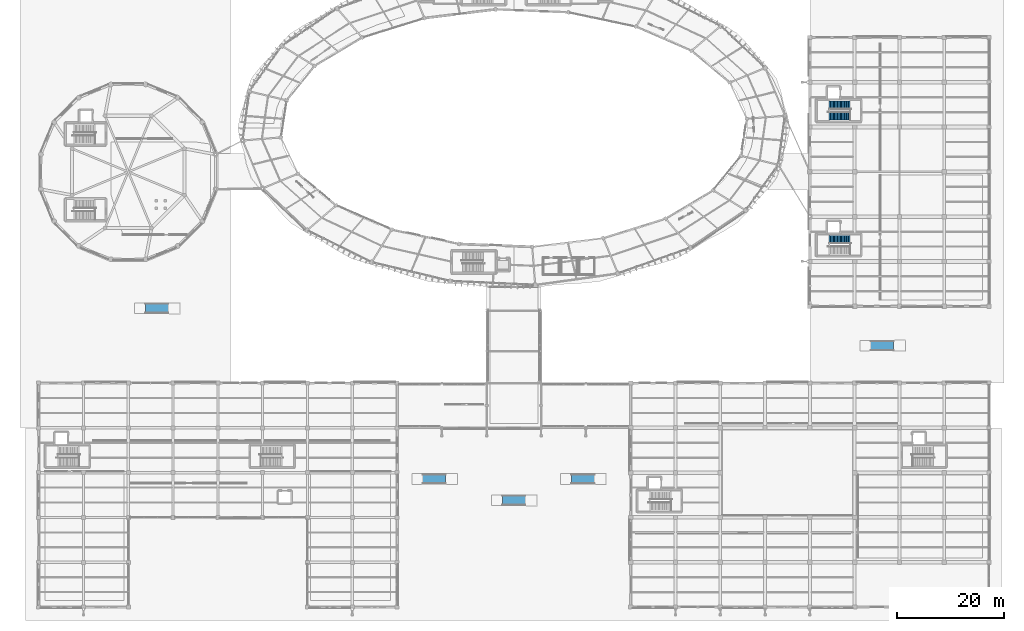
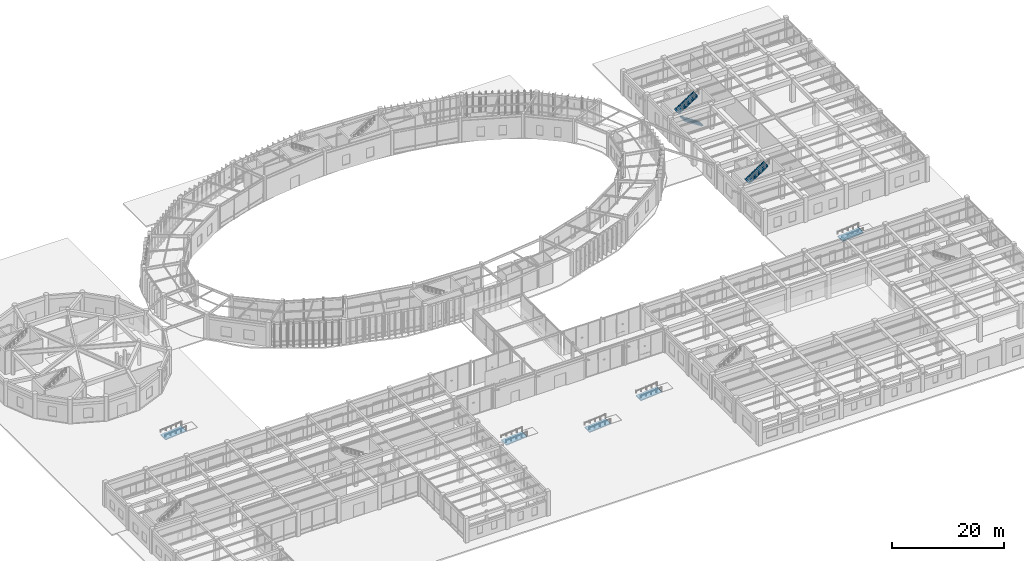
# One storey, part 137 of 157: 5 ramp flights, 3 stair flights, 7 elements without a shape of their own.
"""IFC4 building model written with IfcOpenShell, lengths in metres."""

import ifcopenshell
import ifcopenshell.guid

model = None  # the IFC model being written
_history = None  # IfcOwnerHistory: only IFC2X3 demands one
_inside = {}  # id of a spatial element -> (the spatial element, [elements in it])
_under = {}  # id of a project, library or spatial element -> (it, [spatial elements below it])
_declared = {}  # id of a project -> (the project, [libraries it declares])
_typed = {}  # id of a type object -> (the type object, [elements of that type])
_made_of = {}  # id of a material, layer set ... -> (it, [elements and type objects made of it])


def new_model(schema):
    """Start an empty IFC model of exactly this schema.

    Asked for "IFC4X3", IfcOpenShell would pick the latest addendum, in which some entities
    have other attributes; the version numbers below select the first issue.
    IFC2X3 requires an IfcOwnerHistory on every rooted entity: one is made here for all.
    """
    global model, _history
    if schema == "IFC4X3":
        model = ifcopenshell.file(schema_version=(4, 3, 0, 0))
    else:
        model = ifcopenshell.file(schema=schema)
    _inside.clear()
    _under.clear()
    _declared.clear()
    _typed.clear()
    _made_of.clear()
    _history = None
    if model.schema == "IFC2X3":
        org = make("IfcOrganization", Name="unknown")
        user = make(
            "IfcPersonAndOrganization",
            ThePerson=make("IfcPerson", FamilyName="unknown"),
            TheOrganization=org,
        )
        app = make(
            "IfcApplication",
            ApplicationDeveloper=org,
            Version="unknown",
            ApplicationFullName="unknown",
            ApplicationIdentifier="unknown",
        )
        _history = make(
            "IfcOwnerHistory",
            OwningUser=user,
            OwningApplication=app,
            ChangeAction="ADDED",
            CreationDate=0,
        )
    return model


def make(cls, **values):
    """One entity of the class cls with the attributes given. An attribute that is None is left unset."""
    return model.create_entity(
        cls, **{name: value for name, value in values.items() if value is not None}
    )


def rooted(cls, **values):
    """An entity with a GlobalId (a new one), such as an element, a storey or a relation."""
    return make(cls, GlobalId=ifcopenshell.guid.new(), OwnerHistory=_history, **values)


def si_unit(unit_type, name, prefix=None):
    """IfcSIUnit, for example si_unit("LENGTHUNIT", "METRE", prefix="MILLI")."""
    return make("IfcSIUnit", UnitType=unit_type, Prefix=prefix, Name=name)


def assignment(units):
    """IfcUnitAssignment: the units of a project."""
    return None if units is None else make("IfcUnitAssignment", Units=units)


def point(xyz):
    """IfcCartesianPoint."""
    return None if xyz is None else make("IfcCartesianPoint", Coordinates=xyz)


def direction(xyz):
    """IfcDirection."""
    return None if xyz is None else make("IfcDirection", DirectionRatios=xyz)


def frame(location, z_axis=None, x_axis=None):
    """IfcAxis2Placement3D, a coordinate frame: its origin and axes. An axis left out is left unset."""
    return make(
        "IfcAxis2Placement3D",
        Location=point(location),
        Axis=direction(z_axis),
        RefDirection=direction(x_axis),
    )


def origin():
    """The frame at (0, 0, 0) with its axes left unset."""
    return frame((0.0, 0.0, 0.0))


def place(relative_to, where):
    """IfcLocalPlacement: puts the frame where relative to a parent placement (None: the world)."""
    return make(
        "IfcLocalPlacement", PlacementRelTo=relative_to, RelativePlacement=where
    )


def context(
    kind, dimensions, precision=None, world=None, true_north=None, identifier=None
):
    """IfcGeometricRepresentationContext, for example the 3D "Model" context."""
    return make(
        "IfcGeometricRepresentationContext",
        ContextIdentifier=identifier,
        ContextType=kind,
        CoordinateSpaceDimension=dimensions,
        Precision=precision,
        WorldCoordinateSystem=world,
        TrueNorth=true_north,
    )


def subcontext(parent, identifier, kind, view, scale=None):
    """IfcGeometricRepresentationSubContext, for example "Body" below "Model"."""
    return make(
        "IfcGeometricRepresentationSubContext",
        ContextIdentifier=identifier,
        ContextType=kind,
        ParentContext=parent,
        TargetScale=scale,
        TargetView=view,
    )


def project(units=None, contexts=None):
    """IfcProject with its units and contexts."""
    return rooted(
        "IfcProject",
        Name="project",
        RepresentationContexts=contexts,
        UnitsInContext=assignment(units),
    )


def spatial(cls, under=None, at=None, **own):
    """A site, building, storey or space (cls), placed at a placement, below another one or the project."""
    s = rooted(cls, ObjectPlacement=at, **own)
    if under is not None:
        _under.setdefault(under.id(), (under, []))[1].append(s)
    return s


def polyline(points):
    """IfcPolyline through the points."""
    return make("IfcPolyline", Points=[point(p) for p in points])


def outline(outer, holes=None, kind="AREA"):
    """IfcArbitraryClosedProfileDef: a profile drawn as a closed curve; with holes, ...WithVoids."""
    if holes is None:
        return make("IfcArbitraryClosedProfileDef", ProfileType=kind, OuterCurve=outer)
    return make(
        "IfcArbitraryProfileDefWithVoids",
        ProfileType=kind,
        OuterCurve=outer,
        InnerCurves=holes,
    )


def extrude(swept, where, along, depth):
    """IfcExtrudedAreaSolid: the profile swept, set in the frame where, extruded along a direction by depth."""
    return make(
        "IfcExtrudedAreaSolid",
        SweptArea=swept,
        Position=where,
        ExtrudedDirection=direction(along),
        Depth=depth,
    )


def shape(context_of_items, identifier, shape_type, items):
    """IfcShapeRepresentation: the items that make up one representation, for example the "Body"."""
    return make(
        "IfcShapeRepresentation",
        ContextOfItems=context_of_items,
        RepresentationIdentifier=identifier,
        RepresentationType=shape_type,
        Items=items,
    )


def material(Name=None, Category=None):
    """IfcMaterial."""
    return make("IfcMaterial", Name=Name, Category=Category)


def layer(
    of_material, thickness, ventilated=None, Name=None, Category=None, Priority=None
):
    """IfcMaterialLayer: one layer of a wall or slab, of a material (None: an air gap)."""
    return make(
        "IfcMaterialLayer",
        Material=of_material,
        LayerThickness=thickness,
        IsVentilated=ventilated,
        Name=Name,
        Category=Category,
        Priority=Priority,
    )


def layer_set(layers, Name=None):
    """IfcMaterialLayerSet."""
    return make("IfcMaterialLayerSet", MaterialLayers=layers, LayerSetName=Name)


def made_of(thing, what):
    """Note that an element or type object is made of a material, layer set ...; save() writes the relation."""
    if what is not None:
        _made_of.setdefault(what.id(), (what, []))[1].append(thing)
    return thing


def type_object(cls, material=None, **own):
    """A type object (cls), such as IfcWallType, which elements share."""
    return made_of(rooted(cls, **own), material)


def element(
    cls,
    number,
    at=None,
    inside=None,
    cuts=None,
    type_object=None,
    material=None,
    context=None,
    identifier="Body",
    shape_type=None,
    held_by="IfcProductDefinitionShape",
    body=None,
    shapes=None,
    **own,
):
    """One element of the class cls, such as IfcWall. Its Tag is "e" and its number.

    at: its placement. inside: the storey or other place that contains it. cuts: it is an
    opening in that element (IfcRelVoidsElement). A single representation is given by context,
    identifier, shape_type and body (its items); several are given by shapes. held_by: the class
    of the entity that holds the representations. save() writes the other relations.
    """
    e = rooted(cls, Tag="e%d" % number, ObjectPlacement=at, **own)
    if body is not None:
        shapes = [shape(context, identifier, shape_type, body)]
    if shapes is not None:
        e.Representation = make(held_by, Representations=shapes)
    if inside is not None:
        _inside.setdefault(inside.id(), (inside, []))[1].append(e)
    if cuts is not None:
        rooted(
            "IfcRelVoidsElement", RelatingBuildingElement=cuts, RelatedOpeningElement=e
        )
    if type_object is not None:
        _typed.setdefault(type_object.id(), (type_object, []))[1].append(e)
    return made_of(e, material)


def aggregate(whole, parts):
    """IfcRelAggregates: a whole, such as a stair, and the parts it consists of."""
    return rooted("IfcRelAggregates", RelatingObject=whole, RelatedObjects=parts)


def save(model, path):
    """Write the relations noted so far, then the file.

    IfcRelAggregates (storeys below a building ...), IfcRelContainedInSpatialStructure (elements
    in a storey), IfcRelDefinesByType, IfcRelAssociatesMaterial and IfcRelDeclares: one each for
    every whole, place, type object, material and project.
    """
    for whole, parts in _under.values():
        aggregate(whole, parts)
    for where, things in _inside.values():
        rooted(
            "IfcRelContainedInSpatialStructure",
            RelatedElements=things,
            RelatingStructure=where,
        )
    for kind, things in _typed.values():
        rooted("IfcRelDefinesByType", RelatedObjects=things, RelatingType=kind)
    for what, things in _made_of.values():
        rooted("IfcRelAssociatesMaterial", RelatedObjects=things, RelatingMaterial=what)
    for by, libraries in _declared.values():
        rooted("IfcRelDeclares", RelatingContext=by, RelatedDefinitions=libraries)
    model.write(path)


model = new_model("IFC4")

# Units and contexts
model_context = context("Model", 3, precision=1e-05, world=origin(), true_north=direction((0.0, 1.0)))
body_context = subcontext(model_context, "Body", "Model", "MODEL_VIEW")
ifc_project = project(units=[si_unit("LENGTHUNIT", "METRE"), si_unit("AREAUNIT", "SQUARE_METRE"), si_unit("VOLUMEUNIT", "CUBIC_METRE"), si_unit("PLANEANGLEUNIT", "RADIAN"), si_unit("MASSUNIT", "GRAM", prefix="KILO"), si_unit("THERMODYNAMICTEMPERATUREUNIT", "KELVIN"), si_unit("POWERUNIT", "WATT")], contexts=[model_context])

# Site, building, storey
site_placement = place(None, origin())
site = spatial("IfcSite", under=ifc_project, at=site_placement, CompositionType="ELEMENT")
building_placement = place(site_placement, origin())
building = spatial("IfcBuilding", under=site, at=building_placement, Name="Darbajah Civic Hall", CompositionType="ELEMENT")
storey_placement = place(building_placement, origin())
storey = spatial("IfcBuildingStorey", under=building, at=storey_placement, Name="L00", CompositionType="ELEMENT", Elevation=0.0)

# Stair, stair flights
ifc_material_1 = material(Name="Concrete C45/55", Category="concrete")
stair_type = type_object("IfcStairType", Name="Half Turn Stair 1650x5400", PredefinedType="HALF_TURN_STAIR", material=ifc_material_1)
stair_1_placement = place(storey_placement, origin())
stair_1 = element("IfcStair", 1, at=stair_1_placement, inside=storey, type_object=stair_type, Name="L00 enclosed exit stair ST08", PredefinedType="HALF_TURN_STAIR")
ifc_material_2 = material(Name="Precast Concrete C45/55", Category="concrete")
stair_flight_type = type_object("IfcStairFlightType", Name="Stair Flight 16R 260G", PredefinedType="STRAIGHT", material=ifc_material_2)
stair_flight_1_placement = place(storey_placement, frame((152.1201171875, 92.06494140625, 0.0), z_axis=(0.0, 0.0, 1.0), x_axis=(-1.0, 0.0, 0.0)))
stair_flight_1 = element("IfcStairFlight", 2, at=stair_flight_1_placement, type_object=stair_flight_type, Name="ST08 L00 lower flight", NumberOfRisers=16, NumberOfTreads=15, PredefinedType="STRAIGHT", RiserHeight=0.16875, TreadLength=0.26, context=body_context, shape_type="SweptSolid", body=[
    extrude(outline(polyline([(0.0, 0.0), (0.0, 0.168701171875), (0.260009765625, 0.168701171875), (0.260009765625, 0.33740234375), (0.52001953125, 0.33740234375), (0.52001953125, 0.50634765625), (0.780029296875, 0.50634765625), (0.780029296875, 0.675048828125), (1.0400390625, 0.675048828125), (1.0400390625, 0.84375), (1.300048828125, 0.84375), (1.300048828125, 1.012451171875), (1.56005859375, 1.012451171875), (1.56005859375, 1.18115234375), (1.820068359375, 1.18115234375), (1.820068359375, 1.35009765625), (2.080078125, 1.35009765625), (2.080078125, 1.518798828125), (2.340087890625, 1.518798828125), (2.340087890625, 1.6875), (2.60009765625, 1.6875), (2.60009765625, 1.856201171875), (2.860107421875, 1.856201171875), (2.860107421875, 2.02490234375), (3.1201171875, 2.02490234375), (3.1201171875, 2.19384765625), (3.3798828125, 2.19384765625), (3.3798828125, 2.362548828125), (3.639892578125, 2.362548828125), (3.639892578125, 2.53125), (3.89990234375, 2.53125), (3.89990234375, 2.699951171875), (3.93994140625, 2.699951171875), (3.93994140625, 2.316650390625), (0.37060546875, 0.0), (0.0, 0.0)])), frame((0.0, 0.77490234375, 0.0), z_axis=(0.0, -1.0, 0.0), x_axis=(1.0, 0.0, 0.0)), (0.0, 0.0, 1.0), 1.550048828125),
])
stair_flight_2_placement = place(storey_placement, frame((148.219970703125, 94.135009765625, 2.699951171875), z_axis=(0.0, 0.0, 1.0), x_axis=(1.0, 0.0, 0.0)))
stair_flight_2 = element("IfcStairFlight", 3, at=stair_flight_2_placement, type_object=stair_flight_type, Name="ST08 L00 upper flight", NumberOfRisers=16, NumberOfTreads=15, PredefinedType="STRAIGHT", RiserHeight=0.16875, TreadLength=0.26, context=body_context, shape_type="SweptSolid", body=[
    extrude(outline(polyline([(0.0, 0.0), (0.0, 0.168701171875), (0.260009765625, 0.168701171875), (0.260009765625, 0.33740234375), (0.52001953125, 0.33740234375), (0.52001953125, 0.50634765625), (0.780029296875, 0.50634765625), (0.780029296875, 0.675048828125), (1.0400390625, 0.675048828125), (1.0400390625, 0.84375), (1.300048828125, 0.84375), (1.300048828125, 1.012451171875), (1.56005859375, 1.012451171875), (1.56005859375, 1.18115234375), (1.820068359375, 1.18115234375), (1.820068359375, 1.35009765625), (2.080078125, 1.35009765625), (2.080078125, 1.518798828125), (2.340087890625, 1.518798828125), (2.340087890625, 1.6875), (2.60009765625, 1.6875), (2.60009765625, 1.856201171875), (2.860107421875, 1.856201171875), (2.860107421875, 2.02490234375), (3.1201171875, 2.02490234375), (3.1201171875, 2.19384765625), (3.3798828125, 2.19384765625), (3.3798828125, 2.362548828125), (3.639892578125, 2.362548828125), (3.639892578125, 2.53125), (3.89990234375, 2.53125), (3.89990234375, 2.699951171875), (3.93994140625, 2.699951171875), (3.93994140625, 2.316650390625), (0.37060546875, 0.0), (0.0, 0.0)])), frame((0.0, 0.77490234375, 0.0), z_axis=(0.0, -1.0, 0.0), x_axis=(1.0, 0.0, 0.0)), (0.0, 0.0, 1.0), 1.550048828125),
])
aggregate(stair_1, [stair_flight_1, stair_flight_2])

# Stair, stair flight
stair_2_placement = place(storey_placement, origin())
stair_2 = element("IfcStair", 4, at=stair_2_placement, inside=storey, type_object=stair_type, Name="L00 enclosed exit stair ST09", PredefinedType="HALF_TURN_STAIR")
stair_flight_3_placement = place(storey_placement, frame((148.219970703125, 68.93505859375, 2.699951171875), z_axis=(0.0, 0.0, 1.0), x_axis=(1.0, 0.0, 0.0)))
stair_flight_3 = element("IfcStairFlight", 5, at=stair_flight_3_placement, type_object=stair_flight_type, Name="ST09 L00 upper flight", NumberOfRisers=16, NumberOfTreads=15, PredefinedType="STRAIGHT", RiserHeight=0.16875, TreadLength=0.26, context=body_context, shape_type="SweptSolid", body=[
    extrude(outline(polyline([(0.0, 0.0), (0.0, 0.168701171875), (0.260009765625, 0.168701171875), (0.260009765625, 0.33740234375), (0.52001953125, 0.33740234375), (0.52001953125, 0.50634765625), (0.780029296875, 0.50634765625), (0.780029296875, 0.675048828125), (1.0400390625, 0.675048828125), (1.0400390625, 0.84375), (1.300048828125, 0.84375), (1.300048828125, 1.012451171875), (1.56005859375, 1.012451171875), (1.56005859375, 1.18115234375), (1.820068359375, 1.18115234375), (1.820068359375, 1.35009765625), (2.080078125, 1.35009765625), (2.080078125, 1.518798828125), (2.340087890625, 1.518798828125), (2.340087890625, 1.6875), (2.60009765625, 1.6875), (2.60009765625, 1.856201171875), (2.860107421875, 1.856201171875), (2.860107421875, 2.02490234375), (3.1201171875, 2.02490234375), (3.1201171875, 2.19384765625), (3.3798828125, 2.19384765625), (3.3798828125, 2.362548828125), (3.639892578125, 2.362548828125), (3.639892578125, 2.53125), (3.89990234375, 2.53125), (3.89990234375, 2.699951171875), (3.93994140625, 2.699951171875), (3.93994140625, 2.316650390625), (0.37060546875, 0.0), (0.0, 0.0)])), frame((0.0, 0.77490234375, 0.0), z_axis=(0.0, -1.0, 0.0), x_axis=(1.0, 0.0, 0.0)), (0.0, 0.0, 1.0), 1.550048828125),
])
aggregate(stair_2, [stair_flight_3])

# Ramp, ramp flight
ramp_type = type_object("IfcRampType", Name="Exterior Plaza Accessible Ramp", PredefinedType="STRAIGHT_RUN_RAMP", material=ifc_material_1)
ramp_1_placement = place(storey_placement, origin())
ramp_1 = element("IfcRamp", 6, at=ramp_1_placement, inside=storey, type_object=ramp_type, Name="South West Maidan Accessible Ramp", PredefinedType="STRAIGHT_RUN_RAMP")
ifc_layer = layer(ifc_material_1, 0.219970703125, Name="Concrete C45/55")
ifc_layer_set = layer_set([ifc_layer], Name="Concrete C45/55")
ramp_flight_type = type_object("IfcRampFlightType", Name="Exterior Plaza Ramp Flight 1800mm", PredefinedType="STRAIGHT", material=ifc_layer_set)
ramp_flight_1_placement = place(storey_placement, frame((72.0, 24.0, -0.360107421875), z_axis=(0.0, 0.0, 1.0), x_axis=(1.0, 0.0, 0.0)))
ramp_flight_1 = element("IfcRampFlight", 7, at=ramp_flight_1_placement, type_object=ramp_flight_type, Name="South West Maidan Accessible Ramp flight", PredefinedType="STRAIGHT", context=body_context, shape_type="SweptSolid", body=[
    extrude(outline(polyline([(0.0, 0.0), (4.320068359375, 0.360107421875), (4.320068359375, 0.14013671875), (0.0, -0.219970703125), (0.0, 0.0)])), frame((0.0, 0.89990234375, 0.0), z_axis=(0.0, -1.0, 0.0), x_axis=(1.0, 0.0, 0.0)), (0.0, 0.0, 1.0), 1.800048828125),
])
aggregate(ramp_1, [ramp_flight_1])

ramp_2_placement = place(storey_placement, origin())
ramp_2 = element("IfcRamp", 8, at=ramp_2_placement, inside=storey, type_object=ramp_type, Name="South East Maidan Accessible Ramp", PredefinedType="STRAIGHT_RUN_RAMP")
ramp_flight_2_placement = place(storey_placement, frame((99.8798828125, 24.0, -0.360107421875), z_axis=(0.0, 0.0, 1.0), x_axis=(1.0, 0.0, 0.0)))
ramp_flight_2 = element("IfcRampFlight", 9, at=ramp_flight_2_placement, type_object=ramp_flight_type, Name="South East Maidan Accessible Ramp flight", PredefinedType="STRAIGHT", context=body_context, shape_type="SweptSolid", body=[
    extrude(outline(polyline([(0.0, 0.0), (4.320068359375, 0.360107421875), (4.320068359375, 0.14013671875), (0.0, -0.219970703125), (0.0, 0.0)])), frame((0.0, 0.89990234375, 0.0), z_axis=(0.0, -1.0, 0.0), x_axis=(1.0, 0.0, 0.0)), (0.0, 0.0, 1.0), 1.800048828125),
])
aggregate(ramp_2, [ramp_flight_2])

ramp_3_placement = place(storey_placement, origin())
ramp_3 = element("IfcRamp", 10, at=ramp_3_placement, inside=storey, type_object=ramp_type, Name="Central Pishtaq Ceremonial Approach Ramp", PredefinedType="STRAIGHT_RUN_RAMP")
ramp_flight_3_placement = place(storey_placement, frame((86.93994140625, 20.0, -0.360107421875), z_axis=(0.0, 0.0, 1.0), x_axis=(1.0, 0.0, 0.0)))
ramp_flight_3 = element("IfcRampFlight", 11, at=ramp_flight_3_placement, type_object=ramp_flight_type, Name="Central Pishtaq Ceremonial Approach Ramp flight", PredefinedType="STRAIGHT", context=body_context, shape_type="SweptSolid", body=[
    extrude(outline(polyline([(0.0, 0.0), (4.320068359375, 0.360107421875), (4.320068359375, 0.14013671875), (0.0, -0.219970703125), (0.0, 0.0)])), frame((0.0, 0.89990234375, 0.0), z_axis=(0.0, -1.0, 0.0), x_axis=(1.0, 0.0, 0.0)), (0.0, 0.0, 1.0), 1.800048828125),
])
aggregate(ramp_3, [ramp_flight_3])

ramp_4_placement = place(storey_placement, origin())
ramp_4 = element("IfcRamp", 12, at=ramp_4_placement, inside=storey, type_object=ramp_type, Name="West Council Drum Plaza Accessible Ramp", PredefinedType="STRAIGHT_RUN_RAMP")
ramp_flight_4_placement = place(storey_placement, frame((20.0, 56.0, -0.360107421875), z_axis=(0.0, 0.0, 1.0), x_axis=(1.0, 0.0, 0.0)))
ramp_flight_4 = element("IfcRampFlight", 13, at=ramp_flight_4_placement, type_object=ramp_flight_type, Name="West Council Drum Plaza Accessible Ramp flight", PredefinedType="STRAIGHT", context=body_context, shape_type="SweptSolid", body=[
    extrude(outline(polyline([(0.0, 0.0), (4.320068359375, 0.360107421875), (4.320068359375, 0.14013671875), (0.0, -0.219970703125), (0.0, 0.0)])), frame((0.0, 0.89990234375, 0.0), z_axis=(0.0, -1.0, 0.0), x_axis=(1.0, 0.0, 0.0)), (0.0, 0.0, 1.0), 1.800048828125),
])
aggregate(ramp_4, [ramp_flight_4])

ramp_5_placement = place(storey_placement, origin())
ramp_5 = element("IfcRamp", 14, at=ramp_5_placement, inside=storey, type_object=ramp_type, Name="East Library Forecourt Accessible Ramp", PredefinedType="STRAIGHT_RUN_RAMP")
ramp_flight_5_placement = place(storey_placement, frame((156.0, 49.0, -0.360107421875), z_axis=(0.0, 0.0, 1.0), x_axis=(1.0, 0.0, 0.0)))
ramp_flight_5 = element("IfcRampFlight", 15, at=ramp_flight_5_placement, type_object=ramp_flight_type, Name="East Library Forecourt Accessible Ramp flight", PredefinedType="STRAIGHT", context=body_context, shape_type="SweptSolid", body=[
    extrude(outline(polyline([(0.0, 0.0), (4.320068359375, 0.360107421875), (4.320068359375, 0.14013671875), (0.0, -0.219970703125), (0.0, 0.0)])), frame((0.0, 0.89990234375, 0.0), z_axis=(0.0, -1.0, 0.0), x_axis=(1.0, 0.0, 0.0)), (0.0, 0.0, 1.0), 1.800048828125),
])
aggregate(ramp_5, [ramp_flight_5])

save(model, "model.ifc")
